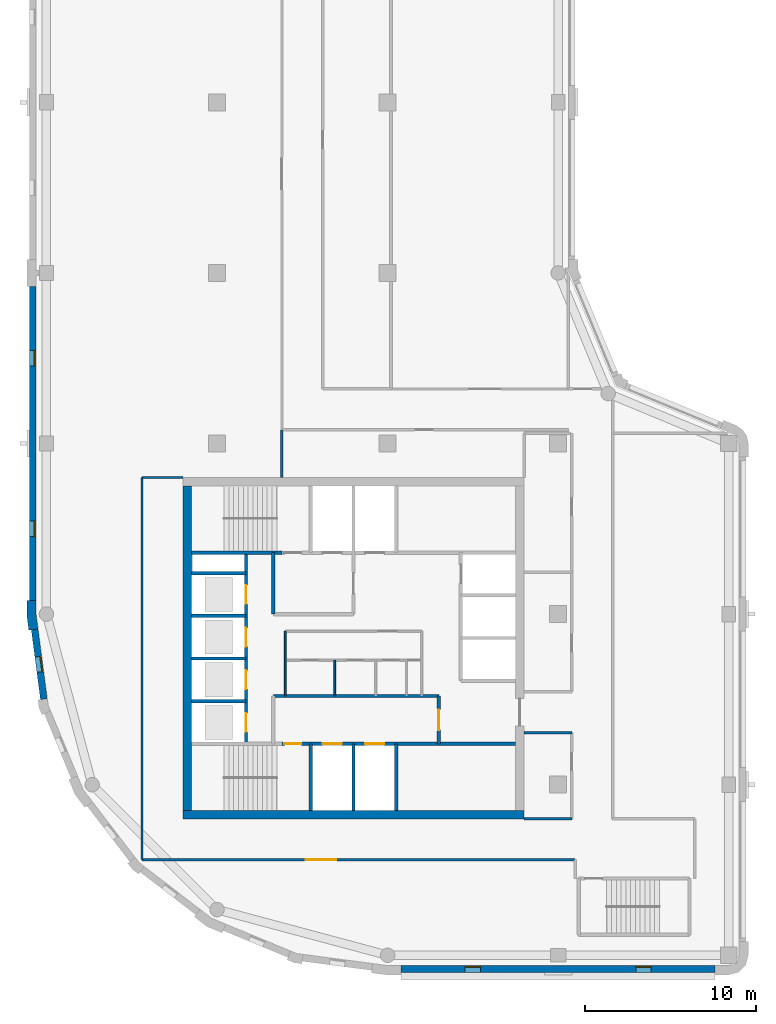
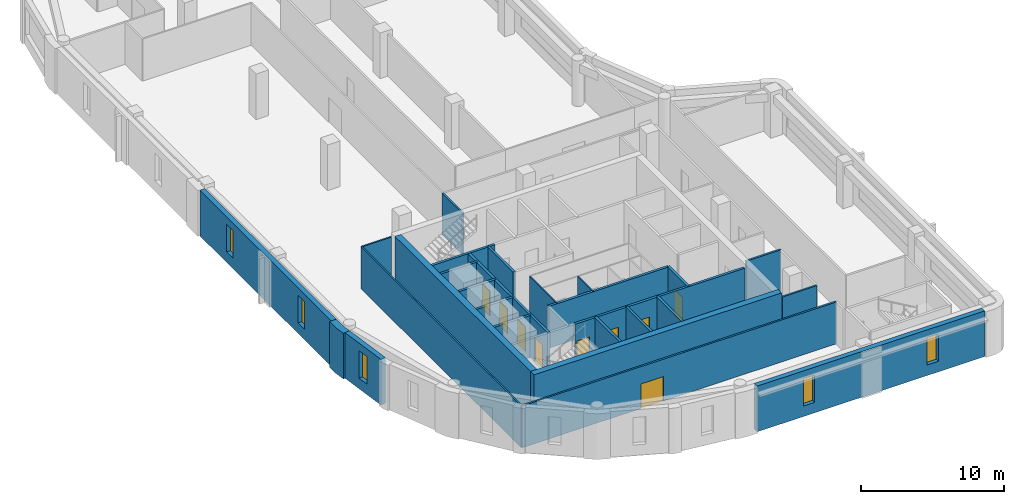
# One storey, part 2 of 8: 27 walls, 9 doors, 5 windows, 14 openings.
"""IFC4 building model written with IfcOpenShell, lengths in metres."""

import ifcopenshell
import ifcopenshell.guid

model = None  # the IFC model being written
_history = None  # IfcOwnerHistory: only IFC2X3 demands one
_inside = {}  # id of a spatial element -> (the spatial element, [elements in it])
_under = {}  # id of a project, library or spatial element -> (it, [spatial elements below it])
_declared = {}  # id of a project -> (the project, [libraries it declares])
_typed = {}  # id of a type object -> (the type object, [elements of that type])
_made_of = {}  # id of a material, layer set ... -> (it, [elements and type objects made of it])


def new_model(schema):
    """Start an empty IFC model of exactly this schema.

    Asked for "IFC4X3", IfcOpenShell would pick the latest addendum, in which some entities
    have other attributes; the version numbers below select the first issue.
    IFC2X3 requires an IfcOwnerHistory on every rooted entity: one is made here for all.
    """
    global model, _history
    if schema == "IFC4X3":
        model = ifcopenshell.file(schema_version=(4, 3, 0, 0))
    else:
        model = ifcopenshell.file(schema=schema)
    _inside.clear()
    _under.clear()
    _declared.clear()
    _typed.clear()
    _made_of.clear()
    _history = None
    if model.schema == "IFC2X3":
        org = make("IfcOrganization", Name="unknown")
        user = make(
            "IfcPersonAndOrganization",
            ThePerson=make("IfcPerson", FamilyName="unknown"),
            TheOrganization=org,
        )
        app = make(
            "IfcApplication",
            ApplicationDeveloper=org,
            Version="unknown",
            ApplicationFullName="unknown",
            ApplicationIdentifier="unknown",
        )
        _history = make(
            "IfcOwnerHistory",
            OwningUser=user,
            OwningApplication=app,
            ChangeAction="ADDED",
            CreationDate=0,
        )
    return model


def make(cls, **values):
    """One entity of the class cls with the attributes given. An attribute that is None is left unset."""
    return model.create_entity(
        cls, **{name: value for name, value in values.items() if value is not None}
    )


def rooted(cls, **values):
    """An entity with a GlobalId (a new one), such as an element, a storey or a relation."""
    return make(cls, GlobalId=ifcopenshell.guid.new(), OwnerHistory=_history, **values)


def si_unit(unit_type, name, prefix=None):
    """IfcSIUnit, for example si_unit("LENGTHUNIT", "METRE", prefix="MILLI")."""
    return make("IfcSIUnit", UnitType=unit_type, Prefix=prefix, Name=name)


def assignment(units):
    """IfcUnitAssignment: the units of a project."""
    return None if units is None else make("IfcUnitAssignment", Units=units)


def point(xyz):
    """IfcCartesianPoint."""
    return None if xyz is None else make("IfcCartesianPoint", Coordinates=xyz)


def direction(xyz):
    """IfcDirection."""
    return None if xyz is None else make("IfcDirection", DirectionRatios=xyz)


def frame(location, z_axis=None, x_axis=None):
    """IfcAxis2Placement3D, a coordinate frame: its origin and axes. An axis left out is left unset."""
    return make(
        "IfcAxis2Placement3D",
        Location=point(location),
        Axis=direction(z_axis),
        RefDirection=direction(x_axis),
    )


def frame_2d(location, x_axis=None):
    """IfcAxis2Placement2D, a coordinate frame in the plane: its origin and x axis."""
    return make(
        "IfcAxis2Placement2D", Location=point(location), RefDirection=direction(x_axis)
    )


def origin():
    """The frame at (0, 0, 0) with its axes left unset."""
    return frame((0.0, 0.0, 0.0))


def place(relative_to, where):
    """IfcLocalPlacement: puts the frame where relative to a parent placement (None: the world)."""
    return make(
        "IfcLocalPlacement", PlacementRelTo=relative_to, RelativePlacement=where
    )


def context(
    kind, dimensions, precision=None, world=None, true_north=None, identifier=None
):
    """IfcGeometricRepresentationContext, for example the 3D "Model" context."""
    return make(
        "IfcGeometricRepresentationContext",
        ContextIdentifier=identifier,
        ContextType=kind,
        CoordinateSpaceDimension=dimensions,
        Precision=precision,
        WorldCoordinateSystem=world,
        TrueNorth=true_north,
    )


def subcontext(parent, identifier, kind, view, scale=None):
    """IfcGeometricRepresentationSubContext, for example "Body" below "Model"."""
    return make(
        "IfcGeometricRepresentationSubContext",
        ContextIdentifier=identifier,
        ContextType=kind,
        ParentContext=parent,
        TargetScale=scale,
        TargetView=view,
    )


def project(units=None, contexts=None):
    """IfcProject with its units and contexts."""
    return rooted(
        "IfcProject",
        Name="project",
        RepresentationContexts=contexts,
        UnitsInContext=assignment(units),
    )


def spatial(cls, under=None, at=None, **own):
    """A site, building, storey or space (cls), placed at a placement, below another one or the project."""
    s = rooted(cls, ObjectPlacement=at, **own)
    if under is not None:
        _under.setdefault(under.id(), (under, []))[1].append(s)
    return s


def polyline(points):
    """IfcPolyline through the points."""
    return make("IfcPolyline", Points=[point(p) for p in points])


def profile(cls, at=None, kind="AREA", **sizes):
    """A parametric profile (cls). Its sizes go by their IFC names, for example OverallWidth=200.0."""
    return make(cls, ProfileType=kind, Position=at, **sizes)


def rectangle(**sizes):
    """IfcRectangleProfileDef."""
    return profile("IfcRectangleProfileDef", **sizes)


def outline(outer, holes=None, kind="AREA"):
    """IfcArbitraryClosedProfileDef: a profile drawn as a closed curve; with holes, ...WithVoids."""
    if holes is None:
        return make("IfcArbitraryClosedProfileDef", ProfileType=kind, OuterCurve=outer)
    return make(
        "IfcArbitraryProfileDefWithVoids",
        ProfileType=kind,
        OuterCurve=outer,
        InnerCurves=holes,
    )


def extrude(swept, where, along, depth):
    """IfcExtrudedAreaSolid: the profile swept, set in the frame where, extruded along a direction by depth."""
    return make(
        "IfcExtrudedAreaSolid",
        SweptArea=swept,
        Position=where,
        ExtrudedDirection=direction(along),
        Depth=depth,
    )


def shape(context_of_items, identifier, shape_type, items):
    """IfcShapeRepresentation: the items that make up one representation, for example the "Body"."""
    return make(
        "IfcShapeRepresentation",
        ContextOfItems=context_of_items,
        RepresentationIdentifier=identifier,
        RepresentationType=shape_type,
        Items=items,
    )


def material(Name=None, Category=None):
    """IfcMaterial."""
    return make("IfcMaterial", Name=Name, Category=Category)


def layer(
    of_material, thickness, ventilated=None, Name=None, Category=None, Priority=None
):
    """IfcMaterialLayer: one layer of a wall or slab, of a material (None: an air gap)."""
    return make(
        "IfcMaterialLayer",
        Material=of_material,
        LayerThickness=thickness,
        IsVentilated=ventilated,
        Name=Name,
        Category=Category,
        Priority=Priority,
    )


def layer_set(layers, Name=None):
    """IfcMaterialLayerSet."""
    return make("IfcMaterialLayerSet", MaterialLayers=layers, LayerSetName=Name)


def made_of(thing, what):
    """Note that an element or type object is made of a material, layer set ...; save() writes the relation."""
    if what is not None:
        _made_of.setdefault(what.id(), (what, []))[1].append(thing)
    return thing


def type_object(cls, material=None, **own):
    """A type object (cls), such as IfcWallType, which elements share."""
    return made_of(rooted(cls, **own), material)


def element(
    cls,
    number,
    at=None,
    inside=None,
    cuts=None,
    type_object=None,
    material=None,
    context=None,
    identifier="Body",
    shape_type=None,
    held_by="IfcProductDefinitionShape",
    body=None,
    shapes=None,
    **own,
):
    """One element of the class cls, such as IfcWall. Its Tag is "e" and its number.

    at: its placement. inside: the storey or other place that contains it. cuts: it is an
    opening in that element (IfcRelVoidsElement). A single representation is given by context,
    identifier, shape_type and body (its items); several are given by shapes. held_by: the class
    of the entity that holds the representations. save() writes the other relations.
    """
    e = rooted(cls, Tag="e%d" % number, ObjectPlacement=at, **own)
    if body is not None:
        shapes = [shape(context, identifier, shape_type, body)]
    if shapes is not None:
        e.Representation = make(held_by, Representations=shapes)
    if inside is not None:
        _inside.setdefault(inside.id(), (inside, []))[1].append(e)
    if cuts is not None:
        rooted(
            "IfcRelVoidsElement", RelatingBuildingElement=cuts, RelatedOpeningElement=e
        )
    if type_object is not None:
        _typed.setdefault(type_object.id(), (type_object, []))[1].append(e)
    return made_of(e, material)


def fill(opening, filler):
    """IfcRelFillsElement: the door or window that sits in an opening."""
    return rooted(
        "IfcRelFillsElement",
        RelatingOpeningElement=opening,
        RelatedBuildingElement=filler,
    )


def aggregate(whole, parts):
    """IfcRelAggregates: a whole, such as a stair, and the parts it consists of."""
    return rooted("IfcRelAggregates", RelatingObject=whole, RelatedObjects=parts)


def save(model, path):
    """Write the relations noted so far, then the file.

    IfcRelAggregates (storeys below a building ...), IfcRelContainedInSpatialStructure (elements
    in a storey), IfcRelDefinesByType, IfcRelAssociatesMaterial and IfcRelDeclares: one each for
    every whole, place, type object, material and project.
    """
    for whole, parts in _under.values():
        aggregate(whole, parts)
    for where, things in _inside.values():
        rooted(
            "IfcRelContainedInSpatialStructure",
            RelatedElements=things,
            RelatingStructure=where,
        )
    for kind, things in _typed.values():
        rooted("IfcRelDefinesByType", RelatedObjects=things, RelatingType=kind)
    for what, things in _made_of.values():
        rooted("IfcRelAssociatesMaterial", RelatedObjects=things, RelatingMaterial=what)
    for by, libraries in _declared.values():
        rooted("IfcRelDeclares", RelatingContext=by, RelatedDefinitions=libraries)
    model.write(path)


model = new_model("IFC4")

# Units and contexts
model_context = context("Model", 3, precision=1e-05, world=origin(), true_north=direction((0.0, 1.0)))
body_context = subcontext(model_context, "Body", "Model", "MODEL_VIEW")
ifc_project = project(units=[si_unit("LENGTHUNIT", "METRE"), si_unit("AREAUNIT", "SQUARE_METRE"), si_unit("VOLUMEUNIT", "CUBIC_METRE"), si_unit("PLANEANGLEUNIT", "RADIAN"), si_unit("MASSUNIT", "GRAM", prefix="KILO")], contexts=[model_context])

# Site, building, storey
site_placement = place(None, origin())
site = spatial("IfcSite", under=ifc_project, at=site_placement, CompositionType="ELEMENT")
building_placement = place(site_placement, origin())
building = spatial("IfcBuilding", under=site, at=building_placement, Name="Qaws Garden Tower", CompositionType="ELEMENT")
storey_placement = place(building_placement, frame((0.0, 0.0, 337.199951171875)))
storey = spatial("IfcBuildingStorey", under=building, at=storey_placement, Name="L82", CompositionType="ELEMENT", Elevation=337.199951171875)

# Wall, openings, windows
ifc_material_1 = material(Name="Clay facing brick masonry", Category="masonry")
ifc_layer_1 = layer(ifc_material_1, 0.39990234375)
ifc_layer_set_1 = layer_set([ifc_layer_1], Name="Clay facing brick masonry")
wall_type_1 = type_object("IfcWallType", Name="Brick infill wall 400", PredefinedType="SOLIDWALL", material=ifc_layer_set_1)
wall_1_placement = place(storey_placement, frame((20.800048828125, -0.800048828125, 0.0), z_axis=(0.0, 0.0, 1.0), x_axis=(1.0, 0.0, 0.0)))
wall_1 = element("IfcWall", 1, at=wall_1_placement, inside=storey, type_object=wall_type_1, Name="E-L82-infill-00", PredefinedType="SOLIDWALL", context=body_context, shape_type="SweptSolid", body=[
    extrude(rectangle(XDim=18.39990234375, YDim=0.39990234375, at=frame_2d((9.199951171875, 0.0))), origin(), (0.0, 0.0, 1.0), 3.900146484375),
])
opening_1_placement = place(wall_1_placement, frame((3.75, 0.0, 0.89990234375)))
opening_1 = element("IfcOpeningElement", 2, at=opening_1_placement, cuts=wall_1, Name="Opening W09", PredefinedType="OPENING", context=body_context, shape_type="SweptSolid", body=[
    extrude(rectangle(XDim=0.89990234375, YDim=2.35009765625, at=frame_2d((0.449951171875, 1.175048828125))), frame((0.0, 0.2099609375, 0.0), z_axis=(0.0, -1.0, 0.0), x_axis=(1.0, 0.0, 0.0)), (0.0, 0.0, 1.0), 0.419921875),
])
opening_2_placement = place(wall_1_placement, frame((13.75, 0.0, 0.89990234375)))
opening_2 = element("IfcOpeningElement", 3, at=opening_2_placement, cuts=wall_1, Name="Opening W09", PredefinedType="OPENING", context=body_context, shape_type="SweptSolid", body=[
    extrude(rectangle(XDim=0.89990234375, YDim=2.35009765625, at=frame_2d((0.449951171875, 1.175048828125))), frame((0.0, 0.2099609375, 0.0), z_axis=(0.0, -1.0, 0.0), x_axis=(1.0, 0.0, 0.0)), (0.0, 0.0, 1.0), 0.419921875),
])
ifc_material_2 = material(Name="Aluminium framed window, clear glazing", Category="aluminium")
window_type = type_object("IfcWindowType", Name="Slit window 900 x 2350", PartitioningType="SINGLE_PANEL", PredefinedType="WINDOW", material=ifc_material_2)
window_1_placement = place(opening_1_placement, origin())
window_1 = element("IfcWindow", 4, at=window_1_placement, inside=storey, type_object=window_type, Name="E-L82-window-00-0", OverallHeight=2.35009765625, OverallWidth=0.89990234375, PartitioningType="SINGLE_PANEL", PredefinedType="WINDOW", context=body_context, shape_type="SweptSolid", body=[
    extrude(rectangle(XDim=0.89990234375, YDim=2.35009765625, at=frame_2d((0.449951171875, 1.175048828125))), frame((0.0, 0.159912109375, 0.0), z_axis=(0.0, -1.0, 0.0), x_axis=(1.0, 0.0, 0.0)), (0.0, 0.0, 1.0), 0.06005859375),
])
fill(opening_1, window_1)
window_2_placement = place(opening_2_placement, origin())
window_2 = element("IfcWindow", 5, at=window_2_placement, inside=storey, type_object=window_type, Name="E-L82-window-01-0", OverallHeight=2.35009765625, OverallWidth=0.89990234375, PartitioningType="SINGLE_PANEL", PredefinedType="WINDOW", context=body_context, shape_type="SweptSolid", body=[
    extrude(rectangle(XDim=0.89990234375, YDim=2.35009765625, at=frame_2d((0.449951171875, 1.175048828125))), frame((0.0, 0.159912109375, 0.0), z_axis=(0.0, -1.0, 0.0), x_axis=(1.0, 0.0, 0.0)), (0.0, 0.0, 1.0), 0.06005859375),
])
fill(opening_2, window_2)

wall_2_placement = place(storey_placement, frame((-0.800048828125, 39.199951171875, 0.0), z_axis=(0.0, 0.0, 1.0), x_axis=(0.0, -1.0, 0.0)))
wall_2 = element("IfcWall", 6, at=wall_2_placement, inside=storey, type_object=wall_type_1, Name="E-L82-infill-19", PredefinedType="SOLIDWALL", context=body_context, shape_type="SweptSolid", body=[
    extrude(rectangle(XDim=18.39990234375, YDim=0.39990234375, at=frame_2d((9.199951171875, 0.0))), origin(), (0.0, 0.0, 1.0), 3.900146484375),
])
opening_3_placement = place(wall_2_placement, frame((3.75, 0.0, 0.89990234375)))
opening_3 = element("IfcOpeningElement", 7, at=opening_3_placement, cuts=wall_2, Name="Opening W09", PredefinedType="OPENING", context=body_context, shape_type="SweptSolid", body=[
    extrude(rectangle(XDim=0.89990234375, YDim=2.35009765625, at=frame_2d((0.449951171875, 1.175048828125))), frame((0.0, 0.2099609375, 0.0), z_axis=(0.0, -1.0, 0.0), x_axis=(1.0, 0.0, 0.0)), (0.0, 0.0, 1.0), 0.419921875),
])
opening_4_placement = place(wall_2_placement, frame((13.75, 0.0, 0.89990234375)))
opening_4 = element("IfcOpeningElement", 8, at=opening_4_placement, cuts=wall_2, Name="Opening W09", PredefinedType="OPENING", context=body_context, shape_type="SweptSolid", body=[
    extrude(rectangle(XDim=0.89990234375, YDim=2.35009765625, at=frame_2d((0.449951171875, 1.175048828125))), frame((0.0, 0.2099609375, 0.0), z_axis=(0.0, -1.0, 0.0), x_axis=(1.0, 0.0, 0.0)), (0.0, 0.0, 1.0), 0.419921875),
])
window_3_placement = place(opening_3_placement, origin())
window_3 = element("IfcWindow", 9, at=window_3_placement, inside=storey, type_object=window_type, Name="E-L82-window-19-0", OverallHeight=2.35009765625, OverallWidth=0.89990234375, PartitioningType="SINGLE_PANEL", PredefinedType="WINDOW", context=body_context, shape_type="SweptSolid", body=[
    extrude(rectangle(XDim=0.89990234375, YDim=2.35009765625, at=frame_2d((0.449951171875, 1.175048828125))), frame((0.0, 0.159912109375, 0.0), z_axis=(0.0, -1.0, 0.0), x_axis=(1.0, 0.0, 0.0)), (0.0, 0.0, 1.0), 0.06005859375),
])
fill(opening_3, window_3)
window_4_placement = place(opening_4_placement, origin())
window_4 = element("IfcWindow", 10, at=window_4_placement, inside=storey, type_object=window_type, Name="E-L82-window-20-0", OverallHeight=2.35009765625, OverallWidth=0.89990234375, PartitioningType="SINGLE_PANEL", PredefinedType="WINDOW", context=body_context, shape_type="SweptSolid", body=[
    extrude(rectangle(XDim=0.89990234375, YDim=2.35009765625, at=frame_2d((0.449951171875, 1.175048828125))), frame((0.0, 0.159912109375, 0.0), z_axis=(0.0, -1.0, 0.0), x_axis=(1.0, 0.0, 0.0)), (0.0, 0.0, 1.0), 0.06005859375),
])
fill(opening_4, window_4)

# Wall, opening, window
wall_3_placement = place(storey_placement, frame((-0.688720703125, 19.102294921875, 0.0), z_axis=(0.0, 0.0, 1.0), x_axis=(0.130514280502, -0.991446429508, 0.0)))
wall_3 = element("IfcWall", 11, at=wall_3_placement, inside=storey, type_object=wall_type_1, Name="E-L82-infill-21", PredefinedType="SOLIDWALL", context=body_context, shape_type="SweptSolid", body=[
    extrude(rectangle(XDim=4.120849609375, YDim=0.39990234375, at=frame_2d((2.060546875, 0.0))), origin(), (0.0, 0.0, 1.0), 3.900146484375),
])
opening_5_placement = place(wall_3_placement, frame((1.610595703125, 0.0, 0.89990234375)))
opening_5 = element("IfcOpeningElement", 12, at=opening_5_placement, cuts=wall_3, Name="Opening W09", PredefinedType="OPENING", context=body_context, shape_type="SweptSolid", body=[
    extrude(rectangle(XDim=0.89990234375, YDim=2.35009765625, at=frame_2d((0.449951171875, 1.175048828125))), frame((0.0, 0.2099609375, 0.0), z_axis=(0.0, -1.0, 0.0), x_axis=(1.0, 0.0, 0.0)), (0.0, 0.0, 1.0), 0.419921875),
])
window_5_placement = place(opening_5_placement, origin())
window_5 = element("IfcWindow", 13, at=window_5_placement, inside=storey, type_object=window_type, Name="E-L82-window-21-0", OverallHeight=2.35009765625, OverallWidth=0.89990234375, PartitioningType="SINGLE_PANEL", PredefinedType="WINDOW", context=body_context, shape_type="SweptSolid", body=[
    extrude(rectangle(XDim=0.89990234375, YDim=2.35009765625, at=frame_2d((0.449951171875, 1.175048828125))), frame((0.0, 0.159912109375, 0.0), z_axis=(0.0, -1.0, 0.0), x_axis=(1.0, 0.0, 0.0)), (0.0, 0.0, 1.0), 0.06005859375),
])
fill(opening_5, window_5)

# Walls
ifc_material_3 = material(Name="Clay facing brick masonry", Category="masonry")
ifc_layer_2 = layer(ifc_material_3, 0.550048828125)
ifc_layer_set_2 = layer_set([ifc_layer_2], Name="Clay facing brick masonry")
wall_type_2 = type_object("IfcWallType", Name="Brick pier 550 x 1600", PredefinedType="SOLIDWALL", material=ifc_layer_set_2)
wall_4_placement = place(storey_placement, origin())
element("IfcWall", 14, at=wall_4_placement, inside=storey, type_object=wall_type_2, Name="E-L82-pier-21", PredefinedType="SOLIDWALL", context=body_context, shape_type="SweptSolid", body=[
    extrude(outline(polyline([(-1.0, 20.800048828125), (-1.14990234375, 20.800048828125), (-1.14990234375, 19.924560546875), (-1.03564453125, 19.056640625), (-0.886962890625, 19.076416015625), (-0.490478515625, 19.12841796875), (-0.60009765625, 19.960693359375), (-0.60009765625, 20.800048828125), (-1.0, 20.800048828125)])), origin(), (0.0, 0.0, 1.0), 3.900146484375),
])
ifc_material_4 = material(Name="Plasterboard")
ifc_layer_3 = layer(ifc_material_4, 0.10009765625)
ifc_layer_set_3 = layer_set([ifc_layer_3], Name="Plasterboard")
wall_type_3 = type_object("IfcWallType", Name="Core partition 100", PredefinedType="PARTITIONING", material=ifc_layer_set_3)
wall_5_placement = place(storey_placement, frame((14.0, 15.199951171875, 0.0), z_axis=(0.0, 0.0, 1.0), x_axis=(0.0, 1.0, 0.0)))
element("IfcWall", 15, at=wall_5_placement, inside=storey, type_object=wall_type_3, Name="Core partition", PredefinedType="PARTITIONING", context=body_context, shape_type="SweptSolid", body=[
    extrude(rectangle(XDim=3.800048828125, YDim=0.10009765625, at=frame_2d((1.89990234375, 0.0))), origin(), (0.0, 0.0, 1.0), 3.580078125),
])
wall_6_placement = place(storey_placement, frame((16.89990234375, 15.199951171875, 0.0), z_axis=(0.0, 0.0, 1.0), x_axis=(0.0, 1.0, 0.0)))
element("IfcWall", 16, at=wall_6_placement, inside=storey, type_object=wall_type_3, Name="Core partition", PredefinedType="PARTITIONING", context=body_context, shape_type="SweptSolid", body=[
    extrude(rectangle(XDim=2.10009765625, YDim=0.10009765625, at=frame_2d((1.050048828125, 0.0))), origin(), (0.0, 0.0, 1.0), 3.580078125),
])

# Wall, openings, doors
ifc_material_5 = material(Name="Concrete C60", Category="concrete")
ifc_layer_4 = layer(ifc_material_5, 0.199951171875)
ifc_layer_set_4 = layer_set([ifc_layer_4], Name="Concrete C60")
wall_type_4 = type_object("IfcWallType", Name="Core shaft wall 200 C60", PredefinedType="SHEAR", material=ifc_layer_set_4)
wall_7_placement = place(storey_placement, frame((13.800048828125, 12.39990234375, 0.0), z_axis=(0.0, 0.0, 1.0), x_axis=(1.0, 0.0, 0.0)))
wall_7 = element("IfcWall", 17, at=wall_7_placement, inside=storey, type_object=wall_type_4, Name="Shaft wall", PredefinedType="SHEAR", context=body_context, shape_type="SweptSolid", body=[
    extrude(rectangle(XDim=13.699951171875, YDim=0.199951171875, at=frame_2d((6.85009765625, 0.0))), origin(), (0.0, 0.0, 1.0), 3.580078125),
])
opening_6_placement = place(wall_7_placement, frame((2.39990234375, 0.0, 0.0)))
opening_6 = element("IfcOpeningElement", 18, at=opening_6_placement, cuts=wall_7, Name="Opening LD06", PredefinedType="OPENING", context=body_context, shape_type="SweptSolid", body=[
    extrude(rectangle(XDim=1.10009765625, YDim=2.10009765625, at=frame_2d((0.550048828125, 1.050048828125))), frame((0.0, 0.10986328125, 0.0), z_axis=(0.0, -1.0, 0.0), x_axis=(1.0, 0.0, 0.0)), (0.0, 0.0, 1.0), 0.219970703125),
])
opening_7_placement = place(wall_7_placement, frame((4.89990234375, 0.0, 0.0)))
opening_7 = element("IfcOpeningElement", 19, at=opening_7_placement, cuts=wall_7, Name="Opening LD07", PredefinedType="OPENING", context=body_context, shape_type="SweptSolid", body=[
    extrude(rectangle(XDim=1.10009765625, YDim=2.10009765625, at=frame_2d((0.550048828125, 1.050048828125))), frame((0.0, 0.10986328125, 0.0), z_axis=(0.0, -1.0, 0.0), x_axis=(1.0, 0.0, 0.0)), (0.0, 0.0, 1.0), 0.219970703125),
])
opening_8_placement = place(wall_7_placement, frame((0.14990234375, 0.0, 0.0)))
opening_8 = element("IfcOpeningElement", 20, at=opening_8_placement, cuts=wall_7, Name="Opening SD10", PredefinedType="OPENING", context=body_context, shape_type="SweptSolid", body=[
    extrude(rectangle(XDim=1.0, YDim=2.10009765625, at=frame_2d((0.5, 1.050048828125))), frame((0.0, 0.10986328125, 0.0), z_axis=(0.0, -1.0, 0.0), x_axis=(1.0, 0.0, 0.0)), (0.0, 0.0, 1.0), 0.219970703125),
])
ifc_material_6 = material(Name="Steel S235", Category="steel")
door_type_1 = type_object("IfcDoorType", Name="Landing door 1100x2100", OperationType="DOUBLE_DOOR_SLIDING", PredefinedType="DOOR", material=ifc_material_6)
door_1_placement = place(opening_6_placement, origin())
door_1 = element("IfcDoor", 21, at=door_1_placement, inside=storey, type_object=door_type_1, Name="Lift FF1 landing door", OperationType="DOUBLE_DOOR_SLIDING", OverallHeight=2.10009765625, OverallWidth=1.10009765625, PredefinedType="DOOR", context=body_context, shape_type="SweptSolid", body=[
    extrude(rectangle(XDim=1.10009765625, YDim=2.10009765625, at=frame_2d((0.550048828125, 1.050048828125))), frame((0.0, 0.02490234375, 0.0), z_axis=(0.0, -1.0, 0.0), x_axis=(1.0, 0.0, 0.0)), (0.0, 0.0, 1.0), 0.050048828125),
])
fill(opening_6, door_1)
door_2_placement = place(opening_7_placement, origin())
door_2 = element("IfcDoor", 22, at=door_2_placement, inside=storey, type_object=door_type_1, Name="Lift FF2 landing door", OperationType="DOUBLE_DOOR_SLIDING", OverallHeight=2.10009765625, OverallWidth=1.10009765625, PredefinedType="DOOR", context=body_context, shape_type="SweptSolid", body=[
    extrude(rectangle(XDim=1.10009765625, YDim=2.10009765625, at=frame_2d((0.550048828125, 1.050048828125))), frame((0.0, 0.02490234375, 0.0), z_axis=(0.0, -1.0, 0.0), x_axis=(1.0, 0.0, 0.0)), (0.0, 0.0, 1.0), 0.050048828125),
])
fill(opening_7, door_2)
ifc_material_7 = material(Name="Steel S235", Category="steel")
door_type_2 = type_object("IfcDoorType", Name="Stair door 1000x2100", OperationType="SINGLE_SWING_RIGHT", PredefinedType="DOOR", material=ifc_material_7)
door_3_placement = place(opening_8_placement, frame((1.0, 0.0, 0.0), z_axis=(0.0, 0.0, 1.0), x_axis=(-1.0, 0.0, 0.0)))
door_3 = element("IfcDoor", 23, at=door_3_placement, inside=storey, type_object=door_type_2, Name="Stair 1 door", OperationType="SINGLE_SWING_LEFT", OverallHeight=2.10009765625, OverallWidth=1.0, PredefinedType="DOOR", context=body_context, shape_type="SweptSolid", body=[
    extrude(rectangle(XDim=1.0, YDim=2.10009765625, at=frame_2d((0.5, 1.050048828125))), frame((0.0, 0.02490234375, 0.0), z_axis=(0.0, -1.0, 0.0), x_axis=(1.0, 0.0, 0.0)), (0.0, 0.0, 1.0), 0.050048828125),
])
fill(opening_8, door_3)

# Walls
wall_8_placement = place(storey_placement, frame((8.5, 14.89990234375, 0.0), z_axis=(0.0, 0.0, 1.0), x_axis=(1.0, 0.0, 0.0)))
element("IfcWall", 24, at=wall_8_placement, inside=storey, type_object=wall_type_4, Name="Shaft wall", PredefinedType="SHEAR", context=body_context, shape_type="SweptSolid", body=[
    extrude(rectangle(XDim=3.199951171875, YDim=0.199951171875, at=frame_2d((1.60009765625, 0.0))), origin(), (0.0, 0.0, 1.0), 3.580078125),
])
wall_9_placement = place(storey_placement, frame((13.300048828125, 15.199951171875, 0.0), z_axis=(0.0, 0.0, 1.0), x_axis=(1.0, 0.0, 0.0)))
element("IfcWall", 25, at=wall_9_placement, inside=storey, type_object=wall_type_4, Name="Shaft wall", PredefinedType="SHEAR", context=body_context, shape_type="SweptSolid", body=[
    extrude(rectangle(XDim=9.699951171875, YDim=0.199951171875, at=frame_2d((4.85009765625, 0.0))), origin(), (0.0, 0.0, 1.0), 3.580078125),
])
for number, where, z_axis, x_axis, name in (
    (26, (8.5, 17.39990234375, 0.0), (0.0, 0.0, 1.0), (1.0, 0.0, 0.0), "Shaft wall"),
    (27, (8.5, 19.89990234375, 0.0), (0.0, 0.0, 1.0), (1.0, 0.0, 0.0), "Shaft wall"),
    (28, (8.5, 22.39990234375, 0.0), (0.0, 0.0, 1.0), (1.0, 0.0, 0.0), "Shaft wall"),
):
    element("IfcWall", number, at=place(storey_placement, frame(where, z_axis=z_axis, x_axis=x_axis)), inside=storey, type_object=wall_type_4, Name=name, PredefinedType="SHEAR", context=body_context, shape_type="SweptSolid", body=[
        extrude(rectangle(XDim=3.199951171875, YDim=0.199951171875, at=frame_2d((1.60009765625, 0.0))), origin(), (0.0, 0.0, 1.0), 3.580078125),
    ])
wall_10_placement = place(storey_placement, frame((8.5, 23.60009765625, 0.0), z_axis=(0.0, 0.0, 1.0), x_axis=(1.0, 0.0, 0.0)))
element("IfcWall", 29, at=wall_10_placement, inside=storey, type_object=wall_type_4, Name="Shaft wall", PredefinedType="SHEAR", context=body_context, shape_type="SweptSolid", body=[
    extrude(rectangle(XDim=5.300048828125, YDim=0.199951171875, at=frame_2d((2.64990234375, 0.0))), origin(), (0.0, 0.0, 1.0), 3.580078125),
])

# Wall, openings, doors
wall_11_placement = place(storey_placement, frame((11.699951171875, 12.39990234375, 0.0), z_axis=(0.0, 0.0, 1.0), x_axis=(0.0, 1.0, 0.0)))
wall_11 = element("IfcWall", 30, at=wall_11_placement, inside=storey, type_object=wall_type_4, Name="Shaft wall", PredefinedType="SHEAR", context=body_context, shape_type="SweptSolid", body=[
    extrude(rectangle(XDim=11.2001953125, YDim=0.199951171875, at=frame_2d((5.60009765625, 0.0))), origin(), (0.0, 0.0, 1.0), 3.580078125),
])
opening_9_placement = place(wall_11_placement, frame((0.699951171875, 0.0, 0.0)))
opening_9 = element("IfcOpeningElement", 31, at=opening_9_placement, cuts=wall_11, Name="Opening LD01", PredefinedType="OPENING", context=body_context, shape_type="SweptSolid", body=[
    extrude(rectangle(XDim=1.10009765625, YDim=2.10009765625, at=frame_2d((0.550048828125, 1.050048828125))), frame((0.0, 0.10986328125, 0.0), z_axis=(0.0, -1.0, 0.0), x_axis=(1.0, 0.0, 0.0)), (0.0, 0.0, 1.0), 0.219970703125),
])
opening_10_placement = place(wall_11_placement, frame((3.199951171875, 0.0, 0.0)))
opening_10 = element("IfcOpeningElement", 32, at=opening_10_placement, cuts=wall_11, Name="Opening LD02", PredefinedType="OPENING", context=body_context, shape_type="SweptSolid", body=[
    extrude(rectangle(XDim=1.10009765625, YDim=2.10009765625, at=frame_2d((0.550048828125, 1.050048828125))), frame((0.0, 0.10986328125, 0.0), z_axis=(0.0, -1.0, 0.0), x_axis=(1.0, 0.0, 0.0)), (0.0, 0.0, 1.0), 0.219970703125),
])
opening_11_placement = place(wall_11_placement, frame((5.699951171875, 0.0, 0.0)))
opening_11 = element("IfcOpeningElement", 33, at=opening_11_placement, cuts=wall_11, Name="Opening LD03", PredefinedType="OPENING", context=body_context, shape_type="SweptSolid", body=[
    extrude(rectangle(XDim=1.10009765625, YDim=2.10009765625, at=frame_2d((0.550048828125, 1.050048828125))), frame((0.0, 0.10986328125, 0.0), z_axis=(0.0, -1.0, 0.0), x_axis=(1.0, 0.0, 0.0)), (0.0, 0.0, 1.0), 0.219970703125),
])
opening_12_placement = place(wall_11_placement, frame((8.199951171875, 0.0, 0.0)))
opening_12 = element("IfcOpeningElement", 34, at=opening_12_placement, cuts=wall_11, Name="Opening LD04", PredefinedType="OPENING", context=body_context, shape_type="SweptSolid", body=[
    extrude(rectangle(XDim=1.10009765625, YDim=2.10009765625, at=frame_2d((0.550048828125, 1.050048828125))), frame((0.0, 0.10986328125, 0.0), z_axis=(0.0, -1.0, 0.0), x_axis=(1.0, 0.0, 0.0)), (0.0, 0.0, 1.0), 0.219970703125),
])
door_4_placement = place(opening_9_placement, origin())
door_4 = element("IfcDoor", 35, at=door_4_placement, inside=storey, type_object=door_type_1, Name="Lift W1 landing door", OperationType="DOUBLE_DOOR_SLIDING", OverallHeight=2.10009765625, OverallWidth=1.10009765625, PredefinedType="DOOR", context=body_context, shape_type="SweptSolid", body=[
    extrude(rectangle(XDim=1.10009765625, YDim=2.10009765625, at=frame_2d((0.550048828125, 1.050048828125))), frame((0.0, 0.02490234375, 0.0), z_axis=(0.0, -1.0, 0.0), x_axis=(1.0, 0.0, 0.0)), (0.0, 0.0, 1.0), 0.050048828125),
])
fill(opening_9, door_4)
door_5_placement = place(opening_10_placement, origin())
door_5 = element("IfcDoor", 36, at=door_5_placement, inside=storey, type_object=door_type_1, Name="Lift W2 landing door", OperationType="DOUBLE_DOOR_SLIDING", OverallHeight=2.10009765625, OverallWidth=1.10009765625, PredefinedType="DOOR", context=body_context, shape_type="SweptSolid", body=[
    extrude(rectangle(XDim=1.10009765625, YDim=2.10009765625, at=frame_2d((0.550048828125, 1.050048828125))), frame((0.0, 0.02490234375, 0.0), z_axis=(0.0, -1.0, 0.0), x_axis=(1.0, 0.0, 0.0)), (0.0, 0.0, 1.0), 0.050048828125),
])
fill(opening_10, door_5)
door_6_placement = place(opening_11_placement, origin())
door_6 = element("IfcDoor", 37, at=door_6_placement, inside=storey, type_object=door_type_1, Name="Lift W3 landing door", OperationType="DOUBLE_DOOR_SLIDING", OverallHeight=2.10009765625, OverallWidth=1.10009765625, PredefinedType="DOOR", context=body_context, shape_type="SweptSolid", body=[
    extrude(rectangle(XDim=1.10009765625, YDim=2.10009765625, at=frame_2d((0.550048828125, 1.050048828125))), frame((0.0, 0.02490234375, 0.0), z_axis=(0.0, -1.0, 0.0), x_axis=(1.0, 0.0, 0.0)), (0.0, 0.0, 1.0), 0.050048828125),
])
fill(opening_11, door_6)
door_7_placement = place(opening_12_placement, origin())
door_7 = element("IfcDoor", 38, at=door_7_placement, inside=storey, type_object=door_type_1, Name="Lift W4 landing door", OperationType="DOUBLE_DOOR_SLIDING", OverallHeight=2.10009765625, OverallWidth=1.10009765625, PredefinedType="DOOR", context=body_context, shape_type="SweptSolid", body=[
    extrude(rectangle(XDim=1.10009765625, YDim=2.10009765625, at=frame_2d((0.550048828125, 1.050048828125))), frame((0.0, 0.02490234375, 0.0), z_axis=(0.0, -1.0, 0.0), x_axis=(1.0, 0.0, 0.0)), (0.0, 0.0, 1.0), 0.050048828125),
])
fill(opening_12, door_7)

# Walls
wall_12_placement = place(storey_placement, frame((13.300048828125, 20.0, 0.0), z_axis=(0.0, 0.0, 1.0), x_axis=(0.0, 1.0, 0.0)))
element("IfcWall", 39, at=wall_12_placement, inside=storey, type_object=wall_type_4, Name="Shaft wall", PredefinedType="SHEAR", context=body_context, shape_type="SweptSolid", body=[
    extrude(rectangle(XDim=3.60009765625, YDim=0.199951171875, at=frame_2d((1.800048828125, 0.0))), origin(), (0.0, 0.0, 1.0), 3.580078125),
])
for number, where, z_axis, x_axis, name in (
    (40, (15.5, 8.5, 0.0), (0.0, 0.0, 1.0), (0.0, 1.0, 0.0), "Shaft wall"),
    (41, (18.0, 8.5, 0.0), (0.0, 0.0, 1.0), (0.0, 1.0, 0.0), "Shaft wall"),
    (42, (20.5, 8.5, 0.0), (0.0, 0.0, 1.0), (0.0, 1.0, 0.0), "Shaft wall"),
):
    element("IfcWall", number, at=place(storey_placement, frame(where, z_axis=z_axis, x_axis=x_axis)), inside=storey, type_object=wall_type_4, Name=name, PredefinedType="SHEAR", context=body_context, shape_type="SweptSolid", body=[
        extrude(rectangle(XDim=3.89990234375, YDim=0.199951171875, at=frame_2d((1.949951171875, 0.0))), origin(), (0.0, 0.0, 1.0), 3.580078125),
    ])

# Wall, opening, door
wall_13_placement = place(storey_placement, frame((23.0, 12.39990234375, 0.0), z_axis=(0.0, 0.0, 1.0), x_axis=(0.0, 1.0, 0.0)))
wall_13 = element("IfcWall", 43, at=wall_13_placement, inside=storey, type_object=wall_type_4, Name="Shaft wall", PredefinedType="SHEAR", context=body_context, shape_type="SweptSolid", body=[
    extrude(rectangle(XDim=2.800048828125, YDim=0.199951171875, at=frame_2d((1.39990234375, 0.0))), origin(), (0.0, 0.0, 1.0), 3.580078125),
])
opening_13_placement = place(wall_13_placement, frame((0.800048828125, 0.0, 0.0)))
opening_13 = element("IfcOpeningElement", 44, at=opening_13_placement, cuts=wall_13, Name="Opening FD15", PredefinedType="OPENING", context=body_context, shape_type="SweptSolid", body=[
    extrude(rectangle(XDim=1.199951171875, YDim=2.10009765625, at=frame_2d((0.60009765625, 1.050048828125))), frame((0.0, 0.10986328125, 0.0), z_axis=(0.0, -1.0, 0.0), x_axis=(1.0, 0.0, 0.0)), (0.0, 0.0, 1.0), 0.219970703125),
])
ifc_material_8 = material(Name="Steel S235", Category="steel")
door_type_3 = type_object("IfcDoorType", Name="Lobby door 1200x2100", OperationType="DOUBLE_DOOR_SINGLE_SWING", PredefinedType="DOOR", material=ifc_material_8)
door_8_placement = place(opening_13_placement, origin())
door_8 = element("IfcDoor", 45, at=door_8_placement, inside=storey, type_object=door_type_3, Name="Fire-fighting lobby door", OperationType="DOUBLE_DOOR_SINGLE_SWING", OverallHeight=2.10009765625, OverallWidth=1.199951171875, PredefinedType="DOOR", context=body_context, shape_type="SweptSolid", body=[
    extrude(rectangle(XDim=1.199951171875, YDim=2.10009765625, at=frame_2d((0.60009765625, 1.050048828125))), frame((0.0, 0.02490234375, 0.0), z_axis=(0.0, -1.0, 0.0), x_axis=(1.0, 0.0, 0.0)), (0.0, 0.0, 1.0), 0.050048828125),
])
fill(opening_13, door_8)

# Walls
ifc_material_9 = material(Name="Concrete C60", Category="concrete")
ifc_layer_5 = layer(ifc_material_9, 0.5)
ifc_layer_set_5 = layer_set([ifc_layer_5], Name="Concrete C60")
wall_type_5 = type_object("IfcWallType", Name="Core wall 500 C60", PredefinedType="SHEAR", material=ifc_layer_set_5)
wall_14_placement = place(storey_placement, frame((8.0, 8.25, 0.0), z_axis=(0.0, 0.0, 1.0), x_axis=(1.0, 0.0, 0.0)))
element("IfcWall", 46, at=wall_14_placement, inside=storey, type_object=wall_type_5, Name="Core wall L82 south", PredefinedType="SHEAR", context=body_context, shape_type="SweptSolid", body=[
    extrude(rectangle(XDim=20.0, YDim=0.5, at=frame_2d((10.0, 0.0))), origin(), (0.0, 0.0, 1.0), 3.900146484375),
])
wall_15_placement = place(storey_placement, frame((8.25, 27.5, 0.0), z_axis=(0.0, 0.0, 1.0), x_axis=(0.0, -1.0, 0.0)))
element("IfcWall", 47, at=wall_15_placement, inside=storey, type_object=wall_type_5, Name="Core wall L82 west", PredefinedType="SHEAR", context=body_context, shape_type="SweptSolid", body=[
    extrude(rectangle(XDim=19.0, YDim=0.5, at=frame_2d((9.5, 0.0))), origin(), (0.0, 0.0, 1.0), 3.900146484375),
])
ifc_material_10 = material(Name="Glass and aluminium framing", Category="aluminium")
ifc_layer_6 = layer(ifc_material_10, 0.1201171875)
ifc_layer_set_6 = layer_set([ifc_layer_6], Name="Glass and aluminium framing")
wall_type_6 = type_object("IfcWallType", Name="GLAZED PARTITION 120 EI 30", PredefinedType="PARTITIONING", material=ifc_layer_set_6)
wall_16_placement = place(storey_placement, frame((5.60009765625, 5.60009765625, 0.0), z_axis=(0.0, 0.0, 1.0), x_axis=(0.0, 1.0, 0.0)))
element("IfcWall", 48, at=wall_16_placement, inside=storey, type_object=wall_type_6, Name="O-L82-wall-032", PredefinedType="PARTITIONING", context=body_context, shape_type="SweptSolid", body=[
    extrude(rectangle(XDim=22.39990234375, YDim=0.1201171875, at=frame_2d((11.199951171875, 0.0))), origin(), (0.0, 0.0, 1.0), 3.580078125),
])
wall_17_placement = place(storey_placement, frame((5.60009765625, 28.0, 0.0), z_axis=(0.0, 0.0, 1.0), x_axis=(1.0, 0.0, 0.0)))
element("IfcWall", 49, at=wall_17_placement, inside=storey, type_object=wall_type_6, Name="O-L82-wall-036", PredefinedType="PARTITIONING", context=body_context, shape_type="SweptSolid", body=[
    extrude(rectangle(XDim=2.39990234375, YDim=0.1201171875, at=frame_2d((1.199951171875, 0.0))), origin(), (0.0, 0.0, 1.0), 3.580078125),
])
ifc_material_11 = material(Name="Gypsum board partition")
ifc_layer_7 = layer(ifc_material_11, 0.14990234375)
ifc_layer_set_7 = layer_set([ifc_layer_7], Name="Gypsum board partition")
wall_type_7 = type_object("IfcWallType", Name="PARTITION 150 EI 60", PredefinedType="PARTITIONING", material=ifc_layer_set_7)
wall_18_placement = place(storey_placement, frame((13.800048828125, 28.0, 0.0), z_axis=(0.0, 0.0, 1.0), x_axis=(0.0, 1.0, 0.0)))
element("IfcWall", 50, at=wall_18_placement, inside=storey, type_object=wall_type_7, Name="O-L82-wall-001", PredefinedType="PARTITIONING", context=body_context, shape_type="SweptSolid", body=[
    extrude(rectangle(XDim=2.801025390625, YDim=0.14990234375, at=frame_2d((1.400390625, 0.0))), origin(), (0.0, 0.0, 1.0), 3.580078125),
])

# Wall, opening, door
wall_19_placement = place(storey_placement, frame((5.60009765625, 5.60009765625, 0.0), z_axis=(0.0, 0.0, 1.0), x_axis=(1.0, 0.0, 0.0)))
wall_19 = element("IfcWall", 51, at=wall_19_placement, inside=storey, type_object=wall_type_7, Name="O-L82-wall-015", PredefinedType="PARTITIONING", context=body_context, shape_type="SweptSolid", body=[
    extrude(rectangle(XDim=25.39990234375, YDim=0.14990234375, at=frame_2d((12.699951171875, 0.0))), origin(), (0.0, 0.0, 1.0), 3.580078125),
])
opening_14_placement = place(wall_19_placement, frame((9.60009765625, 0.0, 0.0)))
opening_14 = element("IfcOpeningElement", 52, at=opening_14_placement, cuts=wall_19, Name="Opening C901", PredefinedType="OPENING", context=body_context, shape_type="SweptSolid", body=[
    extrude(rectangle(XDim=1.800048828125, YDim=2.10009765625, at=frame_2d((0.89990234375, 1.050048828125))), frame((0.0, 0.0849609375, 0.0), z_axis=(0.0, -1.0, 0.0), x_axis=(1.0, 0.0, 0.0)), (0.0, 0.0, 1.0), 0.169921875),
])
ifc_material_12 = material(Name="Timber door leaf", Category="wood")
door_type_4 = type_object("IfcDoorType", Name="DOUBLE DOOR 1800 X 2100", OperationType="DOUBLE_DOOR_SINGLE_SWING", PredefinedType="DOOR", material=ifc_material_12)
door_9_placement = place(opening_14_placement, frame((1.800048828125, 0.0, 0.0), z_axis=(0.0, 0.0, 1.0), x_axis=(-1.0, 0.0, 0.0)))
door_9 = element("IfcDoor", 53, at=door_9_placement, inside=storey, type_object=door_type_4, Name="O-L82-door-001", OperationType="DOUBLE_DOOR_SINGLE_SWING", OverallHeight=2.10009765625, OverallWidth=1.800048828125, PredefinedType="DOOR", context=body_context, shape_type="SweptSolid", body=[
    extrude(rectangle(XDim=1.800048828125, YDim=2.10009765625, at=frame_2d((0.89990234375, 1.050048828125))), frame((0.0, 0.02490234375, 0.0), z_axis=(0.0, -1.0, 0.0), x_axis=(1.0, 0.0, 0.0)), (0.0, 0.0, 1.0), 0.050048828125),
])
fill(opening_14, door_9)

# Walls
for number, where, z_axis, x_axis, name in (
    (54, (28.0, 8.0, 0.0), (0.0, 0.0, 1.0), (1.0, 0.0, 0.0), "O-L82-wall-016"),
    (55, (28.0, 13.050048828125, 0.0), (0.0, 0.0, 1.0), (1.0, 0.0, 0.0), "O-L82-wall-018"),
):
    element("IfcWall", number, at=place(storey_placement, frame(where, z_axis=z_axis, x_axis=x_axis)), inside=storey, type_object=wall_type_7, Name=name, PredefinedType="PARTITIONING", context=body_context, shape_type="SweptSolid", body=[
        extrude(rectangle(XDim=2.800048828125, YDim=0.14990234375, at=frame_2d((1.39990234375, 0.0))), origin(), (0.0, 0.0, 1.0), 3.580078125),
    ])

save(model, "model.ifc")
